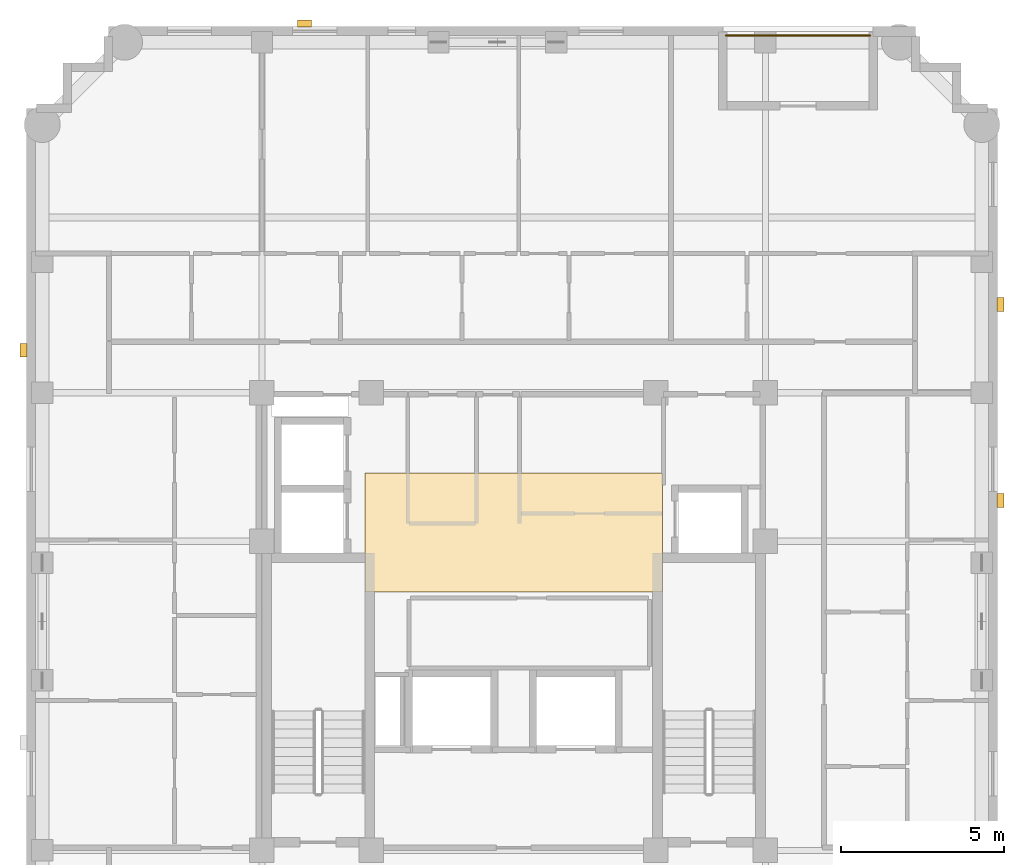
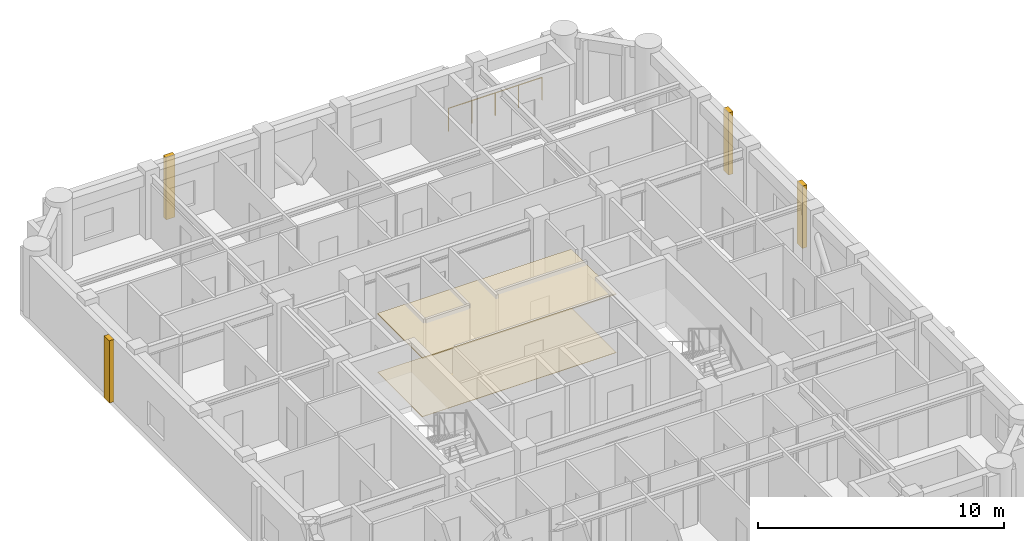
# One storey, part 11 of 11: 6 coverings, 1 railing.
"""IFC4 building model written with IfcOpenShell, lengths in metres."""

from ifc_helpers import new_model, si_unit, derived_unit, direction, frame, origin, origin_2d, place, context, subcontext, project, spatial, polyline, rectangle, circle, outline, extrude, material, layer, layer_set, type_object, element, save


model = new_model("IFC4")

# Units and contexts
model_context = context("Model", 3, precision=1e-05, world=origin(), true_north=direction((0.0, 1.0)))
body_context = subcontext(model_context, "Body", "Model", "MODEL_VIEW")
ifc_project = project(units=[si_unit("LENGTHUNIT", "METRE"), si_unit("AREAUNIT", "SQUARE_METRE"), si_unit("VOLUMEUNIT", "CUBIC_METRE"), si_unit("PLANEANGLEUNIT", "RADIAN"), si_unit("MASSUNIT", "GRAM", prefix="KILO"), derived_unit("THERMALTRANSMITTANCEUNIT", [(si_unit("MASSUNIT", "GRAM", prefix="KILO"), 1), (si_unit("TIMEUNIT", "SECOND"), -3), (si_unit("THERMODYNAMICTEMPERATUREUNIT", "KELVIN"), -1)])], contexts=[model_context])

# Site, building, storey
site_placement = place(None, origin())
site = spatial("IfcSite", under=ifc_project, at=site_placement, CompositionType="ELEMENT")
building_placement = place(site_placement, origin())
building = spatial("IfcBuilding", under=site, at=building_placement, Name="Korrvale Station Residences", CompositionType="ELEMENT")
storey_placement = place(building_placement, frame((0.0, 0.0, 224.10009765625)))
storey = spatial("IfcBuildingStorey", under=building, at=storey_placement, Name="L65", CompositionType="ELEMENT", Elevation=224.10009765625)

# Coverings
ifc_material_1 = material(Name="Perforated acoustic mineral-fibre suspended ceiling", Category="gypsum")
ifc_layer_1 = layer(ifc_material_1, 0.050048828125, Name="Perforated acoustic mineral-fibre suspended ceiling")
ifc_layer_set_1 = layer_set([ifc_layer_1], Name="Perforated acoustic mineral-fibre suspended ceiling")
covering_type_1 = type_object("IfcCoveringType", Name="COV-CLG-AC60", PredefinedType="CEILING", material=ifc_layer_set_1)
covering_1_placement = place(storey_placement, frame((0.0, 0.0, 2.889892578125)))
element("IfcCovering", 1, at=covering_1_placement, inside=storey, type_object=covering_type_1, Name="L65 Elevator Lobby Acoustic Ceiling", PredefinedType="CEILING", context=body_context, shape_type="SweptSolid", body=[
    extrude(outline(polyline([(20.949951171875, 22.89990234375), (30.050048828125, 22.89990234375), (30.050048828125, 26.550048828125), (20.949951171875, 26.550048828125), (20.949951171875, 22.89990234375)])), origin(), (0.0, 0.0, 1.0), 0.050048828125),
])
ifc_material_2 = material(Name="Polished quartz-terrazzo lobby flooring", Category="masonry")
ifc_layer_2 = layer(ifc_material_2, 0.02001953125, Name="Polished quartz-terrazzo lobby flooring")
ifc_layer_set_2 = layer_set([ifc_layer_2], Name="Polished quartz-terrazzo lobby flooring")
covering_type_2 = type_object("IfcCoveringType", Name="COV-FLR-TER20", PredefinedType="FLOORING", material=ifc_layer_set_2)
covering_2_placement = place(storey_placement, origin())
element("IfcCovering", 2, at=covering_2_placement, inside=storey, type_object=covering_type_2, Name="L65 Elevator Lobby Terrazzo Flooring", PredefinedType="FLOORING", context=body_context, shape_type="SweptSolid", body=[
    extrude(outline(polyline([(20.949951171875, 22.89990234375), (30.050048828125, 22.89990234375), (30.050048828125, 26.550048828125), (20.949951171875, 26.550048828125), (20.949951171875, 22.89990234375)])), origin(), (0.0, 0.0, 1.0), 0.02001953125),
])
ifc_material_3 = material(Name="Architectural precast concrete C45/55", Category="concrete")
ifc_layer_3 = layer(ifc_material_3, 0.219970703125, Name="Architectural precast concrete C45/55")
ifc_layer_set_3 = layer_set([ifc_layer_3], Name="Architectural precast concrete C45/55")
covering_type_3 = type_object("IfcCoveringType", Name="COV-PIER-400", PredefinedType="CLADDING", material=ifc_layer_set_3)
for number, where, z_axis, x_axis, name in (
    (3, (19.10009765625, 40.2900390625, 0.02490234375), (0.0, 0.0, 1.0), (1.0, 0.0, 0.0), "L65 Architectural Precast Facade Pier 01"),
    (4, (10.510009765625, 30.300048828125, 0.02490234375), (0.0, 0.0, 1.0), (0.0, 1.0, 0.0), "L65 Architectural Precast Facade Pier 04"),
    (5, (40.389892578125, 31.699951171875, 0.02490234375), (0.0, 0.0, 1.0), (0.0, 1.0, 0.0), "L65 Architectural Precast Facade Pier 05"),
    (6, (40.389892578125, 25.699951171875, 0.02490234375), (0.0, 0.0, 1.0), (0.0, 1.0, 0.0), "L65 Architectural Precast Facade Pier 06"),
):
    element("IfcCovering", number, at=place(storey_placement, frame(where, z_axis=z_axis, x_axis=x_axis)), inside=storey, type_object=covering_type_3, Name=name, PredefinedType="CLADDING", context=body_context, shape_type="SweptSolid", body=[
        extrude(rectangle(XDim=0.419921875, YDim=0.219970703125, at=origin_2d()), origin(), (0.0, 0.0, 1.0), 3.090087890625),
    ])

# Railing
ifc_material_4 = material(Name="Powder-coated aluminium picket loggia guard", Category="aluminium")
railing_type = type_object("IfcRailingType", Name="RLG-BAL-1150", PredefinedType="GUARDRAIL", material=ifc_material_4)
railing_placement = place(storey_placement, frame((32.0, 39.929931640625, 0.0)))
element("IfcRailing", 7, at=railing_placement, inside=storey, type_object=railing_type, Name="L65 Recessed Loggia Guardrail BAL-L65-N1", PredefinedType="GUARDRAIL", context=body_context, shape_type="SweptSolid", body=[
    extrude(circle(Radius=0.02392578125, at=origin_2d()), frame((0.0, 0.0, 1.1259765625), z_axis=(1.0, 0.0, 0.0), x_axis=(0.0, 1.0, 0.0)), (0.0, 0.0, 1.0), 4.39990234375),
    extrude(circle(Radius=0.02099609375, at=origin_2d()), origin(), (0.0, 0.0, 1.0), 1.101806640625),
    extrude(circle(Radius=0.02099609375, at=origin_2d()), frame((1.10009765625, 0.0, 0.0)), (0.0, 0.0, 1.0), 1.101806640625),
    extrude(circle(Radius=0.02099609375, at=origin_2d()), frame((2.199951171875, 0.0, 0.0)), (0.0, 0.0, 1.0), 1.101806640625),
    extrude(circle(Radius=0.02099609375, at=origin_2d()), frame((3.2998046875, 0.0, 0.0)), (0.0, 0.0, 1.0), 1.101806640625),
    extrude(circle(Radius=0.02099609375, at=origin_2d()), frame((4.39990234375, 0.0, 0.0)), (0.0, 0.0, 1.0), 1.101806640625),
])

save(model, "model.ifc")
